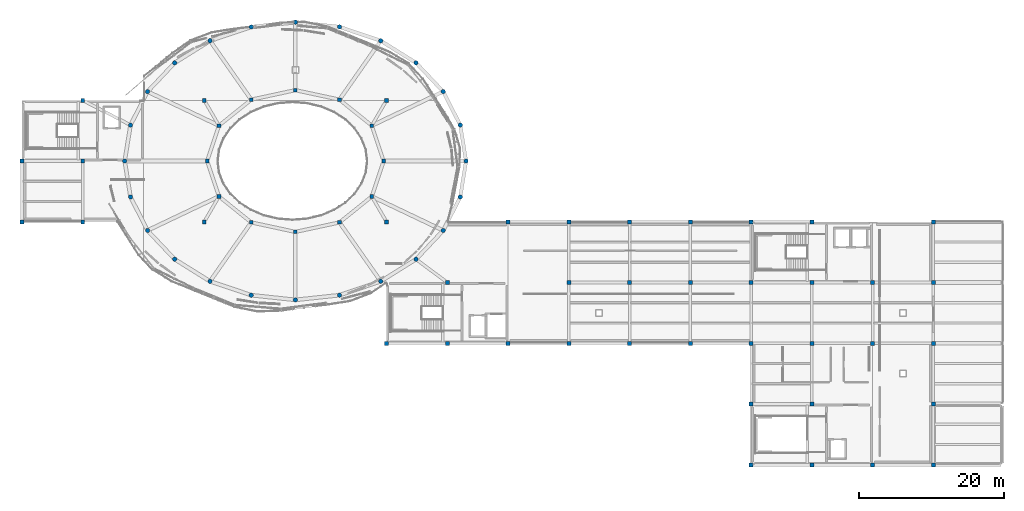
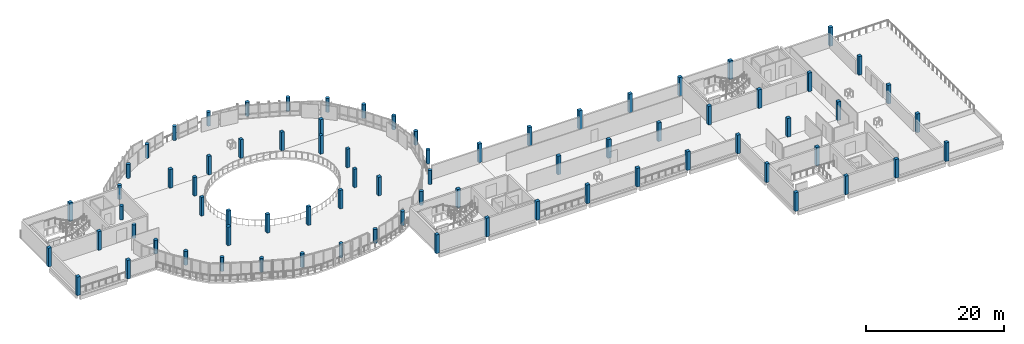
# One storey, part 1 of 43: 77 columns.
"""IFC4 building model written with IfcOpenShell, lengths in metres."""

from ifc_helpers import new_model, si_unit, derived_unit, direction, frame, origin, origin_2d, place, context, subcontext, project, spatial, rectangle, circle, extrude, material, material_profile, profile_set, type_object, element, save


model = new_model("IFC4")

# Units and contexts
model_context = context("Model", 3, precision=1e-05, world=origin(), true_north=direction((0.0, 1.0)))
body_context = subcontext(model_context, "Body", "Model", "MODEL_VIEW")
ifc_project = project(units=[si_unit("LENGTHUNIT", "METRE"), si_unit("AREAUNIT", "SQUARE_METRE"), si_unit("VOLUMEUNIT", "CUBIC_METRE"), si_unit("PLANEANGLEUNIT", "RADIAN"), si_unit("MASSUNIT", "GRAM", prefix="KILO"), derived_unit("THERMALTRANSMITTANCEUNIT", [(si_unit("POWERUNIT", "WATT"), 1), (si_unit("LENGTHUNIT", "METRE"), -2), (si_unit("THERMODYNAMICTEMPERATUREUNIT", "KELVIN"), -1)])], contexts=[model_context])

# Site, building, storey
site_placement = place(None, origin())
site = spatial("IfcSite", under=ifc_project, at=site_placement, CompositionType="ELEMENT")
building_placement = place(site_placement, origin())
building = spatial("IfcBuilding", under=site, at=building_placement, Name="Elbkamm Science Centre", CompositionType="ELEMENT")
storey_placement = place(building_placement, frame((0.0, 0.0, 18.300048828125)))
storey = spatial("IfcBuildingStorey", under=building, at=storey_placement, Name="L04", CompositionType="ELEMENT", Elevation=18.300048828125)

# Columns
ifc_material = material(Name="Concrete C40/50", Category="concrete")
ifc_material_profile_1 = material_profile(ifc_material, rectangle(XDim=0.5, YDim=0.5, at=origin_2d()), Name="RC 500x500")
ifc_profile_set_1 = profile_set([ifc_material_profile_1], Name="Concrete C40/50")
column_type_1 = type_object("IfcColumnType", Name="COL-RC-500", PredefinedType="COLUMN", material=ifc_profile_set_1)
for number, where, z_axis, x_axis, name in (
    (1, (75.199951171875, 67.199951171875, 0.0), (0.0, 0.0, 1.0), (1.0, 0.0, 0.0), "L04 Column SH-IN-01"),
    (2, (73.56591796875, 72.10009765625, 0.0), (0.0, 0.0, 1.0), (1.0, 0.0, 0.0), "L04 Column SH-IN-02"),
    (3, (69.10009765625, 75.68701171875, 0.0), (0.0, 0.0, 1.0), (1.0, 0.0, 0.0), "L04 Column SH-IN-03"),
    (4, (63.0, 77.0, 0.0), (0.0, 0.0, 1.0), (1.0, 0.0, 0.0), "L04 Column SH-IN-04"),
    (5, (56.89990234375, 75.68701171875, 0.0), (0.0, 0.0, 1.0), (1.0, 0.0, 0.0), "L04 Column SH-IN-05"),
    (6, (52.43408203125, 72.10009765625, 0.0), (0.0, 0.0, 1.0), (1.0, 0.0, 0.0), "L04 Column SH-IN-06"),
    (7, (50.800048828125, 67.199951171875, 0.0), (0.0, 0.0, 1.0), (1.0, 0.0, 0.0), "L04 Column SH-IN-07"),
    (8, (52.43408203125, 62.300048828125, 0.0), (0.0, 0.0, 1.0), (1.0, 0.0, 0.0), "L04 Column SH-IN-08"),
    (9, (56.89990234375, 58.712890625, 0.0), (0.0, 0.0, 1.0), (1.0, 0.0, 0.0), "L04 Column SH-IN-09"),
    (10, (63.0, 57.39990234375, 0.0), (0.0, 0.0, 1.0), (1.0, 0.0, 0.0), "L04 Column SH-IN-10"),
    (11, (69.10009765625, 58.712890625, 0.0), (0.0, 0.0, 1.0), (1.0, 0.0, 0.0), "L04 Column SH-IN-11"),
    (12, (73.56591796875, 62.300048828125, 0.0), (0.0, 0.0, 1.0), (1.0, 0.0, 0.0), "L04 Column SH-IN-12"),
):
    element("IfcColumn", number, at=place(storey_placement, frame(where, z_axis=z_axis, x_axis=x_axis)), inside=storey, type_object=column_type_1, Name=name, PredefinedType="COLUMN", context=body_context, shape_type="SweptSolid", body=[
        extrude(rectangle(XDim=0.5, YDim=0.5, at=origin_2d()), origin(), (0.0, 0.0, 1.0), 3.300048828125),
    ])
ifc_material_profile_2 = material_profile(ifc_material, rectangle(XDim=0.550048828125, YDim=0.550048828125, at=origin_2d()), Name="RC 550x550")
ifc_profile_set_2 = profile_set([ifc_material_profile_2], Name="Concrete C40/50")
column_type_2 = type_object("IfcColumnType", Name="COL-RC-550", PredefinedType="COLUMN", material=ifc_profile_set_2)
for number, where, z_axis, x_axis, name in (
    (13, (25.199951171875, 58.800048828125, 0.0), (0.0, 0.0, 1.0), (1.0, 0.0, 0.0), "L04 Column GRID-4-H"),
    (14, (25.199951171875, 67.199951171875, 0.0), (0.0, 0.0, 1.0), (1.0, 0.0, 0.0), "L04 Column GRID-4-J"),
    (15, (33.60009765625, 58.800048828125, 0.0), (0.0, 0.0, 1.0), (1.0, 0.0, 0.0), "L04 Column GRID-5-H"),
    (16, (33.60009765625, 67.199951171875, 0.0), (0.0, 0.0, 1.0), (1.0, 0.0, 0.0), "L04 Column GRID-5-J"),
    (17, (33.60009765625, 75.60009765625, 0.0), (0.0, 0.0, 1.0), (1.0, 0.0, 0.0), "L04 Column GRID-5-K"),
    (18, (50.39990234375, 58.800048828125, 0.0), (0.0, 0.0, 1.0), (1.0, 0.0, 0.0), "L04 Column GRID-7-H"),
    (19, (50.39990234375, 75.60009765625, 0.0), (0.0, 0.0, 1.0), (1.0, 0.0, 0.0), "L04 Column GRID-7-K"),
    (20, (75.60009765625, 42.0, 0.0), (0.0, 0.0, 1.0), (1.0, 0.0, 0.0), "L04 Column GRID-10-F"),
    (21, (75.60009765625, 58.800048828125, 0.0), (0.0, 0.0, 1.0), (1.0, 0.0, 0.0), "L04 Column GRID-10-H"),
    (22, (75.60009765625, 75.60009765625, 0.0), (0.0, 0.0, 1.0), (1.0, 0.0, 0.0), "L04 Column GRID-10-K"),
    (23, (84.0, 42.0, 0.0), (0.0, 0.0, 1.0), (1.0, 0.0, 0.0), "L04 Column GRID-11-F"),
    (24, (84.0, 50.39990234375, 0.0), (0.0, 0.0, 1.0), (1.0, 0.0, 0.0), "L04 Column GRID-11-G"),
    (25, (92.39990234375, 42.0, 0.0), (0.0, 0.0, 1.0), (1.0, 0.0, 0.0), "L04 Column GRID-12-F"),
    (26, (92.39990234375, 58.800048828125, 0.0), (0.0, 0.0, 1.0), (1.0, 0.0, 0.0), "L04 Column GRID-12-H"),
    (27, (100.800048828125, 42.0, 0.0), (0.0, 0.0, 1.0), (1.0, 0.0, 0.0), "L04 Column GRID-13-F"),
    (28, (100.800048828125, 50.39990234375, 0.0), (0.0, 0.0, 1.0), (1.0, 0.0, 0.0), "L04 Column GRID-13-G"),
    (29, (100.800048828125, 58.800048828125, 0.0), (0.0, 0.0, 1.0), (1.0, 0.0, 0.0), "L04 Column GRID-13-H"),
    (30, (109.199951171875, 42.0, 0.0), (0.0, 0.0, 1.0), (1.0, 0.0, 0.0), "L04 Column GRID-14-F"),
    (31, (109.199951171875, 50.39990234375, 0.0), (0.0, 0.0, 1.0), (1.0, 0.0, 0.0), "L04 Column GRID-14-G"),
    (32, (109.199951171875, 58.800048828125, 0.0), (0.0, 0.0, 1.0), (1.0, 0.0, 0.0), "L04 Column GRID-14-H"),
    (33, (117.60009765625, 42.0, 0.0), (0.0, 0.0, 1.0), (1.0, 0.0, 0.0), "L04 Column GRID-15-F"),
    (34, (117.60009765625, 50.39990234375, 0.0), (0.0, 0.0, 1.0), (1.0, 0.0, 0.0), "L04 Column GRID-15-G"),
    (35, (117.60009765625, 58.800048828125, 0.0), (0.0, 0.0, 1.0), (1.0, 0.0, 0.0), "L04 Column GRID-15-H"),
    (36, (126.0, 25.199951171875, 0.0), (0.0, 0.0, 1.0), (1.0, 0.0, 0.0), "L04 Column GRID-16-D"),
    (37, (126.0, 33.60009765625, 0.0), (0.0, 0.0, 1.0), (1.0, 0.0, 0.0), "L04 Column GRID-16-E"),
    (38, (126.0, 42.0, 0.0), (0.0, 0.0, 1.0), (1.0, 0.0, 0.0), "L04 Column GRID-16-F"),
    (39, (126.0, 50.39990234375, 0.0), (0.0, 0.0, 1.0), (1.0, 0.0, 0.0), "L04 Column GRID-16-G"),
    (40, (126.0, 58.800048828125, 0.0), (0.0, 0.0, 1.0), (1.0, 0.0, 0.0), "L04 Column GRID-16-H"),
    (41, (134.39990234375, 25.199951171875, 0.0), (0.0, 0.0, 1.0), (1.0, 0.0, 0.0), "L04 Column GRID-17-D"),
    (42, (134.39990234375, 33.60009765625, 0.0), (0.0, 0.0, 1.0), (1.0, 0.0, 0.0), "L04 Column GRID-17-E"),
    (43, (134.39990234375, 42.0, 0.0), (0.0, 0.0, 1.0), (1.0, 0.0, 0.0), "L04 Column GRID-17-F"),
    (44, (134.39990234375, 50.39990234375, 0.0), (0.0, 0.0, 1.0), (1.0, 0.0, 0.0), "L04 Column GRID-17-G"),
    (45, (134.39990234375, 58.800048828125, 0.0), (0.0, 0.0, 1.0), (1.0, 0.0, 0.0), "L04 Column GRID-17-H"),
    (46, (142.800048828125, 25.199951171875, 0.0), (0.0, 0.0, 1.0), (1.0, 0.0, 0.0), "L04 Column GRID-18-D"),
    (47, (142.800048828125, 42.0, 0.0), (0.0, 0.0, 1.0), (1.0, 0.0, 0.0), "L04 Column GRID-18-F"),
    (48, (142.800048828125, 50.39990234375, 0.0), (0.0, 0.0, 1.0), (1.0, 0.0, 0.0), "L04 Column GRID-18-G"),
    (49, (151.199951171875, 25.199951171875, 0.0), (0.0, 0.0, 1.0), (1.0, 0.0, 0.0), "L04 Column GRID-19-D"),
    (50, (151.199951171875, 33.60009765625, 0.0), (0.0, 0.0, 1.0), (1.0, 0.0, 0.0), "L04 Column GRID-19-E"),
    (51, (151.199951171875, 42.0, 0.0), (0.0, 0.0, 1.0), (1.0, 0.0, 0.0), "L04 Column GRID-19-F"),
    (52, (151.199951171875, 50.39990234375, 0.0), (0.0, 0.0, 1.0), (1.0, 0.0, 0.0), "L04 Column GRID-19-G"),
    (53, (151.199951171875, 58.800048828125, 0.0), (0.0, 0.0, 1.0), (1.0, 0.0, 0.0), "L04 Column GRID-19-H"),
):
    element("IfcColumn", number, at=place(storey_placement, frame(where, z_axis=z_axis, x_axis=x_axis)), inside=storey, type_object=column_type_2, Name=name, PredefinedType="COLUMN", context=body_context, shape_type="SweptSolid", body=[
        extrude(rectangle(XDim=0.550048828125, YDim=0.550048828125, at=origin_2d()), origin(), (0.0, 0.0, 1.0), 3.300048828125),
    ])
ifc_material_profile_3 = material_profile(ifc_material, circle(Radius=0.300048828125, at=origin_2d()), Name="RC D600")
ifc_profile_set_3 = profile_set([ifc_material_profile_3], Name="Concrete C40/50")
column_type_3 = type_object("IfcColumnType", Name="COL-RC-D600", PredefinedType="COLUMN", material=ifc_profile_set_3)
for number, where, z_axis, x_axis, name in (
    (54, (86.60009765625, 67.199951171875, 0.0), (0.0, 0.0, 1.0), (1.0, 0.0, 0.0), "L04 Column SH-OUT-01"),
    (55, (85.7958984375, 72.1689453125, 0.0), (0.0, 0.0, 1.0), (1.0, 0.0, 0.0), "L04 Column SH-OUT-02"),
    (56, (83.43798828125, 76.800048828125, 0.0), (0.0, 0.0, 1.0), (1.0, 0.0, 0.0), "L04 Column SH-OUT-03"),
    (57, (79.68798828125, 80.77587890625, 0.0), (0.0, 0.0, 1.0), (1.0, 0.0, 0.0), "L04 Column SH-OUT-04"),
    (58, (74.800048828125, 83.827880859375, 0.0), (0.0, 0.0, 1.0), (1.0, 0.0, 0.0), "L04 Column SH-OUT-05"),
    (59, (69.10791015625, 85.74609375, 0.0), (0.0, 0.0, 1.0), (1.0, 0.0, 0.0), "L04 Column SH-OUT-06"),
    (60, (63.0, 86.39990234375, 0.0), (0.0, 0.0, 1.0), (1.0, 0.0, 0.0), "L04 Column SH-OUT-07"),
    (61, (56.89208984375, 85.74609375, 0.0), (0.0, 0.0, 1.0), (1.0, 0.0, 0.0), "L04 Column SH-OUT-08"),
    (62, (51.199951171875, 83.827880859375, 0.0), (0.0, 0.0, 1.0), (1.0, 0.0, 0.0), "L04 Column SH-OUT-09"),
    (63, (46.31201171875, 80.77587890625, 0.0), (0.0, 0.0, 1.0), (1.0, 0.0, 0.0), "L04 Column SH-OUT-10"),
    (64, (42.56201171875, 76.800048828125, 0.0), (0.0, 0.0, 1.0), (1.0, 0.0, 0.0), "L04 Column SH-OUT-11"),
    (65, (40.2041015625, 72.1689453125, 0.0), (0.0, 0.0, 1.0), (1.0, 0.0, 0.0), "L04 Column SH-OUT-12"),
    (66, (39.39990234375, 67.199951171875, 0.0), (0.0, 0.0, 1.0), (1.0, 0.0, 0.0), "L04 Column SH-OUT-13"),
    (67, (40.2041015625, 62.23095703125, 0.0), (0.0, 0.0, 1.0), (1.0, 0.0, 0.0), "L04 Column SH-OUT-14"),
    (68, (42.56201171875, 57.60009765625, 0.0), (0.0, 0.0, 1.0), (1.0, 0.0, 0.0), "L04 Column SH-OUT-15"),
    (69, (46.31201171875, 53.6240234375, 0.0), (0.0, 0.0, 1.0), (1.0, 0.0, 0.0), "L04 Column SH-OUT-16"),
    (70, (51.199951171875, 50.572021484375, 0.0), (0.0, 0.0, 1.0), (1.0, 0.0, 0.0), "L04 Column SH-OUT-17"),
    (71, (56.89208984375, 48.654052734375, 0.0), (0.0, 0.0, 1.0), (1.0, 0.0, 0.0), "L04 Column SH-OUT-18"),
    (72, (63.0, 48.0, 0.0), (0.0, 0.0, 1.0), (1.0, 0.0, 0.0), "L04 Column SH-OUT-19"),
    (73, (69.10791015625, 48.654052734375, 0.0), (0.0, 0.0, 1.0), (1.0, 0.0, 0.0), "L04 Column SH-OUT-20"),
    (74, (74.800048828125, 50.572021484375, 0.0), (0.0, 0.0, 1.0), (1.0, 0.0, 0.0), "L04 Column SH-OUT-21"),
    (75, (79.68798828125, 53.6240234375, 0.0), (0.0, 0.0, 1.0), (1.0, 0.0, 0.0), "L04 Column SH-OUT-22"),
    (76, (83.43798828125, 57.60009765625, 0.0), (0.0, 0.0, 1.0), (1.0, 0.0, 0.0), "L04 Column SH-OUT-23"),
    (77, (85.7958984375, 62.23095703125, 0.0), (0.0, 0.0, 1.0), (1.0, 0.0, 0.0), "L04 Column SH-OUT-24"),
):
    element("IfcColumn", number, at=place(storey_placement, frame(where, z_axis=z_axis, x_axis=x_axis)), inside=storey, type_object=column_type_3, Name=name, PredefinedType="COLUMN", context=body_context, shape_type="SweptSolid", body=[
        extrude(circle(Radius=0.300048828125, at=origin_2d()), origin(), (0.0, 0.0, 1.0), 2.449951171875),
    ])

save(model, "model.ifc")
